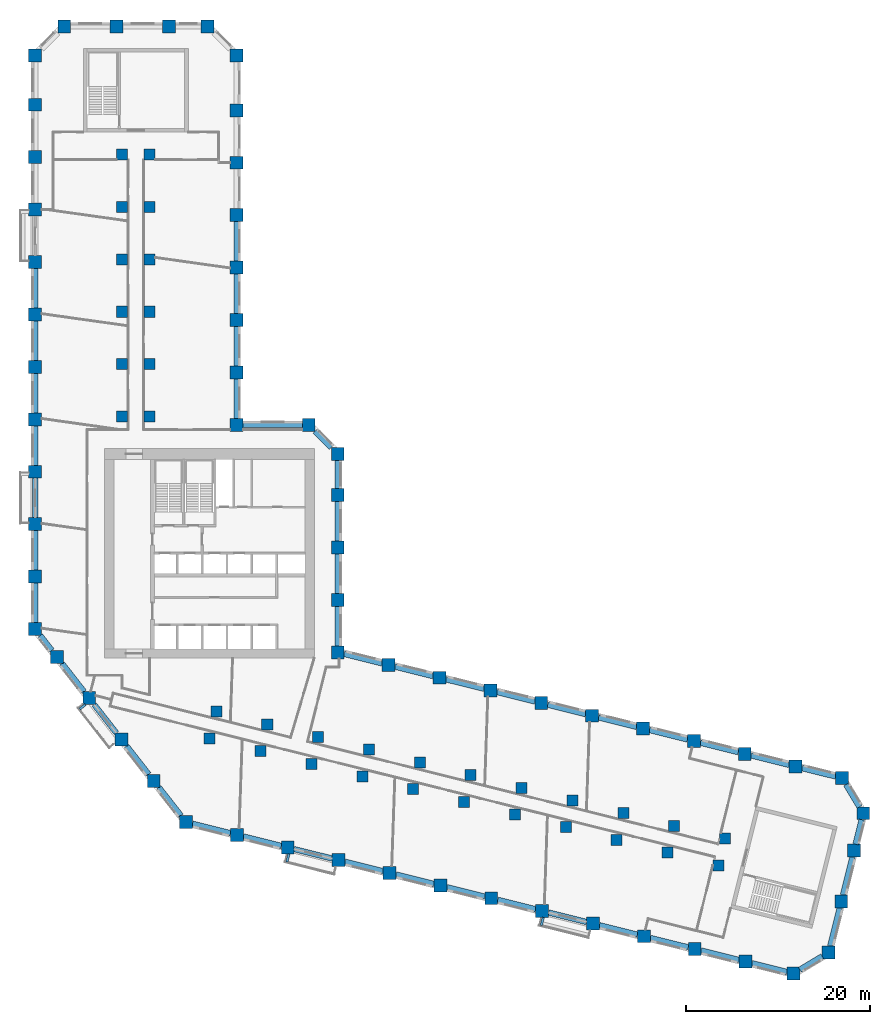
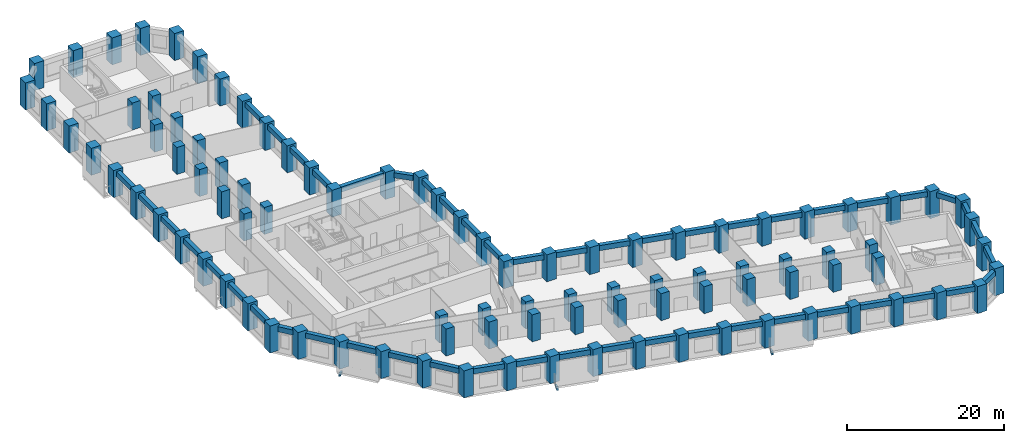
# One storey, part 1 of 11: 95 columns, 52 beams.
"""IFC4 building model written with IfcOpenShell, lengths in metres."""

from ifc_helpers import new_model, si_unit, direction, frame, origin, origin_2d, place, context, subcontext, project, spatial, rectangle, extrude, material, material_profile, profile_set, type_object, element, save


model = new_model("IFC4")

# Units and contexts
model_context = context("Model", 3, precision=1e-05, world=origin(), true_north=direction((0.0, 1.0)))
body_context = subcontext(model_context, "Body", "Model", "MODEL_VIEW")
ifc_project = project(units=[si_unit("LENGTHUNIT", "METRE"), si_unit("AREAUNIT", "SQUARE_METRE"), si_unit("VOLUMEUNIT", "CUBIC_METRE"), si_unit("PLANEANGLEUNIT", "RADIAN"), si_unit("MASSUNIT", "GRAM", prefix="KILO")], contexts=[model_context])

# Site, building, storey
site_placement = place(None, origin())
site = spatial("IfcSite", under=ifc_project, at=site_placement, CompositionType="ELEMENT")
building_placement = place(site_placement, origin())
building = spatial("IfcBuilding", under=site, at=building_placement, Name="Meshkara Civic Tower", CompositionType="ELEMENT")
storey_placement = place(building_placement, frame((0.0, 0.0, 79.199951171875)))
storey = spatial("IfcBuildingStorey", under=building, at=storey_placement, Name="L17", CompositionType="ELEMENT", Elevation=79.199951171875)

# Columns
ifc_material_1 = material(Name="Concrete C80", Category="concrete")
ifc_material_profile_1 = material_profile(ifc_material_1, rectangle(XDim=1.199951171875, YDim=1.199951171875, at=origin_2d()))
ifc_profile_set_1 = profile_set([ifc_material_profile_1], Name="Concrete C80")
column_type_1 = type_object("IfcColumnType", Name="Interior column RC 1200x1200 C80", PredefinedType="COLUMN", material=ifc_profile_set_1)
for number, where, z_axis, x_axis, name in (
    (1, (9.89990234375, 40.35009765625, 0.0), (0.0, 0.0, 1.0), (1.0, 0.0, 0.0), "Column SA1-04 L17"),
    (2, (9.89990234375, 46.050048828125, 0.0), (0.0, 0.0, 1.0), (1.0, 0.0, 0.0), "Column SA1-05 L17"),
    (3, (9.89990234375, 51.75, 0.0), (0.0, 0.0, 1.0), (1.0, 0.0, 0.0), "Column SA1-06 L17"),
    (4, (9.89990234375, 57.449951171875, 0.0), (0.0, 0.0, 1.0), (1.0, 0.0, 0.0), "Column SA1-07 L17"),
    (5, (9.89990234375, 63.14990234375, 0.0), (0.0, 0.0, 1.0), (1.0, 0.0, 0.0), "Column SA1-08 L17"),
    (6, (9.89990234375, 68.85009765625, 0.0), (0.0, 0.0, 1.0), (1.0, 0.0, 0.0), "Column SA1-09 L17"),
    (7, (12.89990234375, 40.35009765625, 0.0), (0.0, 0.0, 1.0), (1.0, 0.0, 0.0), "Column SA2-04 L17"),
    (8, (12.89990234375, 46.050048828125, 0.0), (0.0, 0.0, 1.0), (1.0, 0.0, 0.0), "Column SA2-05 L17"),
    (9, (12.89990234375, 51.75, 0.0), (0.0, 0.0, 1.0), (1.0, 0.0, 0.0), "Column SA2-06 L17"),
    (10, (12.89990234375, 57.449951171875, 0.0), (0.0, 0.0, 1.0), (1.0, 0.0, 0.0), "Column SA2-07 L17"),
    (11, (12.89990234375, 63.14990234375, 0.0), (0.0, 0.0, 1.0), (1.0, 0.0, 0.0), "Column SA2-08 L17"),
    (12, (12.89990234375, 68.85009765625, 0.0), (0.0, 0.0, 1.0), (1.0, 0.0, 0.0), "Column SA2-09 L17"),
    (13, (19.424072265625, 5.360107421875, 0.0), (0.0, 0.0, 1.0), (1.0, 0.0, 0.0), "Column SB1-00 L17"),
    (14, (24.9541015625, 3.98095703125, 0.0), (0.0, 0.0, 1.0), (1.0, 0.0, 0.0), "Column SB1-01 L17"),
    (15, (30.485107421875, 2.60205078125, 0.0), (0.0, 0.0, 1.0), (1.0, 0.0, 0.0), "Column SB1-02 L17"),
    (16, (36.01611328125, 1.222900390625, 0.0), (0.0, 0.0, 1.0), (1.0, 0.0, 0.0), "Column SB1-03 L17"),
    (17, (41.5458984375, -0.156005859375, 0.0), (0.0, 0.0, 1.0), (1.0, 0.0, 0.0), "Column SB1-04 L17"),
    (18, (47.076904296875, -1.534912109375, 0.0), (0.0, 0.0, 1.0), (1.0, 0.0, 0.0), "Column SB1-05 L17"),
    (19, (52.60791015625, -2.9140625, 0.0), (0.0, 0.0, 1.0), (1.0, 0.0, 0.0), "Column SB1-06 L17"),
    (20, (58.138916015625, -4.2919921875, 0.0), (0.0, 0.0, 1.0), (1.0, 0.0, 0.0), "Column SB1-07 L17"),
    (21, (63.6689453125, -5.6708984375, 0.0), (0.0, 0.0, 1.0), (1.0, 0.0, 0.0), "Column SB1-08 L17"),
    (22, (69.199951171875, -7.050048828125, 0.0), (0.0, 0.0, 1.0), (1.0, 0.0, 0.0), "Column SB1-09 L17"),
    (23, (74.73095703125, -8.428955078125, 0.0), (0.0, 0.0, 1.0), (1.0, 0.0, 0.0), "Column SB1-10 L17"),
    (24, (20.14892578125, 8.27099609375, 0.0), (0.0, 0.0, 1.0), (1.0, 0.0, 0.0), "Column SB2-00 L17"),
    (25, (25.679931640625, 6.89208984375, 0.0), (0.0, 0.0, 1.0), (1.0, 0.0, 0.0), "Column SB2-01 L17"),
    (26, (31.2109375, 5.512939453125, 0.0), (0.0, 0.0, 1.0), (1.0, 0.0, 0.0), "Column SB2-02 L17"),
    (27, (36.741943359375, 4.134033203125, 0.0), (0.0, 0.0, 1.0), (1.0, 0.0, 0.0), "Column SB2-03 L17"),
    (28, (42.27197265625, 2.7548828125, 0.0), (0.0, 0.0, 1.0), (1.0, 0.0, 0.0), "Column SB2-04 L17"),
    (29, (47.802978515625, 1.3759765625, 0.0), (0.0, 0.0, 1.0), (1.0, 0.0, 0.0), "Column SB2-05 L17"),
    (30, (53.333984375, -0.0029296875, 0.0), (0.0, 0.0, 1.0), (1.0, 0.0, 0.0), "Column SB2-06 L17"),
    (31, (58.864013671875, -1.382080078125, 0.0), (0.0, 0.0, 1.0), (1.0, 0.0, 0.0), "Column SB2-07 L17"),
    (32, (64.39501953125, -2.760986328125, 0.0), (0.0, 0.0, 1.0), (1.0, 0.0, 0.0), "Column SB2-08 L17"),
    (33, (69.926025390625, -4.139892578125, 0.0), (0.0, 0.0, 1.0), (1.0, 0.0, 0.0), "Column SB2-09 L17"),
    (34, (75.4560546875, -5.51806640625, 0.0), (0.0, 0.0, 1.0), (1.0, 0.0, 0.0), "Column SB2-10 L17"),
):
    element("IfcColumn", number, at=place(storey_placement, frame(where, z_axis=z_axis, x_axis=x_axis)), inside=storey, type_object=column_type_1, Name=name, PredefinedType="COLUMN", context=body_context, shape_type="SweptSolid", body=[
        extrude(rectangle(XDim=1.199951171875, YDim=1.199951171875, at=origin_2d()), origin(), (0.0, 0.0, 1.0), 4.199951171875),
    ])
ifc_material_2 = material(Name="Concrete C80", Category="concrete")
ifc_material_profile_2 = material_profile(ifc_material_2, rectangle(XDim=1.39990234375, YDim=1.39990234375, at=origin_2d()))
ifc_profile_set_2 = profile_set([ifc_material_profile_2], Name="Concrete C80")
column_type_2 = type_object("IfcColumnType", Name="Perimeter column RC 1400x1400 C80", PredefinedType="COLUMN", material=ifc_profile_set_2)
for number, where, z_axis, x_axis, name in (
    (35, (33.35009765625, 14.718994140625, 0.0), (0.0, 0.0, 1.0), (1.0, 0.0, 0.0), "Column HE00 L17"),
    (36, (33.35009765625, 20.4189453125, 0.0), (0.0, 0.0, 1.0), (1.0, 0.0, 0.0), "Column HE01 L17"),
    (37, (33.35009765625, 26.118896484375, 0.0), (0.0, 0.0, 1.0), (1.0, 0.0, 0.0), "Column HE02 L17"),
    (38, (33.35009765625, 31.819091796875, 0.0), (0.0, 0.0, 1.0), (1.0, 0.0, 0.0), "Column HE03 L17"),
    (39, (33.35009765625, 36.2939453125, 0.0), (0.0, 0.0, 1.0), (1.0, 0.0, 0.0), "Column HEE L17"),
    (40, (30.194091796875, 39.449951171875, 0.0), (0.0, 0.0, 1.0), (1.0, 0.0, 0.0), "Column HCeE L17"),
    (41, (22.35009765625, 39.449951171875, 0.0), (0.0, 0.0, 1.0), (1.0, 0.0, 0.0), "Column HN00 L17"),
    (42, (22.35009765625, 45.14990234375, 0.0), (0.0, 0.0, 1.0), (1.0, 0.0, 0.0), "Column AE01 L17"),
    (43, (22.35009765625, 50.85009765625, 0.0), (0.0, 0.0, 1.0), (1.0, 0.0, 0.0), "Column AE02 L17"),
    (44, (22.35009765625, 56.550048828125, 0.0), (0.0, 0.0, 1.0), (1.0, 0.0, 0.0), "Column AE03 L17"),
    (45, (22.35009765625, 62.25, 0.0), (0.0, 0.0, 1.0), (1.0, 0.0, 0.0), "Column AE04 L17"),
    (46, (22.35009765625, 67.949951171875, 0.0), (0.0, 0.0, 1.0), (1.0, 0.0, 0.0), "Column AE05 L17"),
    (47, (22.35009765625, 73.64990234375, 0.0), (0.0, 0.0, 1.0), (1.0, 0.0, 0.0), "Column AE06 L17"),
    (48, (22.35009765625, 79.614013671875, 0.0), (0.0, 0.0, 1.0), (1.0, 0.0, 0.0), "Column AEE L17"),
    (49, (19.194091796875, 82.77001953125, 0.0), (0.0, 0.0, 1.0), (1.0, 0.0, 0.0), "Column ATiE L17"),
    (50, (3.60595703125, 82.77001953125, 0.0), (0.0, 0.0, 1.0), (1.0, 0.0, 0.0), "Column AT00 L17"),
    (51, (9.305908203125, 82.77001953125, 0.0), (0.0, 0.0, 1.0), (1.0, 0.0, 0.0), "Column AT01 L17"),
    (52, (15.006103515625, 82.77001953125, 0.0), (0.0, 0.0, 1.0), (1.0, 0.0, 0.0), "Column AT02 L17"),
    (53, (0.449951171875, 79.614013671875, 0.0), (0.0, 0.0, 1.0), (1.0, 0.0, 0.0), "Column ATo00 L17"),
    (54, (0.449951171875, 17.2548828125, 0.0), (0.0, 0.0, 1.0), (1.0, 0.0, 0.0), "Column AW00 L17"),
    (55, (0.449951171875, 22.955078125, 0.0), (0.0, 0.0, 1.0), (1.0, 0.0, 0.0), "Column AW01 L17"),
    (56, (0.449951171875, 28.655029296875, 0.0), (0.0, 0.0, 1.0), (1.0, 0.0, 0.0), "Column AW02 L17"),
    (57, (0.449951171875, 34.35498046875, 0.0), (0.0, 0.0, 1.0), (1.0, 0.0, 0.0), "Column AW03 L17"),
    (58, (0.449951171875, 40.054931640625, 0.0), (0.0, 0.0, 1.0), (1.0, 0.0, 0.0), "Column AW04 L17"),
    (59, (0.449951171875, 45.7548828125, 0.0), (0.0, 0.0, 1.0), (1.0, 0.0, 0.0), "Column AW05 L17"),
    (60, (0.449951171875, 51.455078125, 0.0), (0.0, 0.0, 1.0), (1.0, 0.0, 0.0), "Column AW06 L17"),
    (61, (0.449951171875, 57.155029296875, 0.0), (0.0, 0.0, 1.0), (1.0, 0.0, 0.0), "Column AW07 L17"),
    (62, (0.449951171875, 62.85498046875, 0.0), (0.0, 0.0, 1.0), (1.0, 0.0, 0.0), "Column AW08 L17"),
    (63, (0.449951171875, 68.554931640625, 0.0), (0.0, 0.0, 1.0), (1.0, 0.0, 0.0), "Column AW09 L17"),
    (64, (0.449951171875, 74.2548828125, 0.0), (0.0, 0.0, 1.0), (1.0, 0.0, 0.0), "Column AW10 L17"),
    (65, (16.85107421875, -3.738037109375, 0.0), (0.0, 0.0, 1.0), (1.0, 0.0, 0.0), "Column BOW00 L17"),
    (66, (13.342041015625, 0.75390625, 0.0), (0.0, 0.0, 1.0), (1.0, 0.0, 0.0), "Column BOW01 L17"),
    (67, (9.8330078125, 5.2451171875, 0.0), (0.0, 0.0, 1.0), (1.0, 0.0, 0.0), "Column BOW02 L17"),
    (68, (6.322998046875, 9.737060546875, 0.0), (0.0, 0.0, 1.0), (1.0, 0.0, 0.0), "Column BOW03 L17"),
    (69, (2.81396484375, 14.22900390625, 0.0), (0.0, 0.0, 1.0), (1.0, 0.0, 0.0), "Column BOW04 L17"),
    (70, (22.382080078125, -5.116943359375, 0.0), (0.0, 0.0, 1.0), (1.0, 0.0, 0.0), "Column BS01 L17"),
    (71, (27.912109375, -6.49609375, 0.0), (0.0, 0.0, 1.0), (1.0, 0.0, 0.0), "Column BS02 L17"),
    (72, (33.443115234375, -7.875, 0.0), (0.0, 0.0, 1.0), (1.0, 0.0, 0.0), "Column BS03 L17"),
    (73, (38.97412109375, -9.25390625, 0.0), (0.0, 0.0, 1.0), (1.0, 0.0, 0.0), "Column BS04 L17"),
    (74, (44.5048828125, -10.632080078125, 0.0), (0.0, 0.0, 1.0), (1.0, 0.0, 0.0), "Column BS05 L17"),
    (75, (50.034912109375, -12.010986328125, 0.0), (0.0, 0.0, 1.0), (1.0, 0.0, 0.0), "Column BS06 L17"),
    (76, (55.56591796875, -13.389892578125, 0.0), (0.0, 0.0, 1.0), (1.0, 0.0, 0.0), "Column BS07 L17"),
    (77, (61.096923828125, -14.76904296875, 0.0), (0.0, 0.0, 1.0), (1.0, 0.0, 0.0), "Column BS08 L17"),
    (78, (66.626953125, -16.14794921875, 0.0), (0.0, 0.0, 1.0), (1.0, 0.0, 0.0), "Column BS09 L17"),
    (79, (72.157958984375, -17.527099609375, 0.0), (0.0, 0.0, 1.0), (1.0, 0.0, 0.0), "Column BS10 L17"),
    (80, (77.68896484375, -18.906005859375, 0.0), (0.0, 0.0, 1.0), (1.0, 0.0, 0.0), "Column BS11 L17"),
    (81, (82.887939453125, -20.201904296875, 0.0), (0.0, 0.0, 1.0), (1.0, 0.0, 0.0), "Column BSE L17"),
    (82, (86.714111328125, -17.903076171875, 0.0), (0.0, 0.0, 1.0), (1.0, 0.0, 0.0), "Column BToE L17"),
    (83, (88.093017578125, -12.3720703125, 0.0), (0.0, 0.0, 1.0), (1.0, 0.0, 0.0), "Column BT01 L17"),
    (84, (89.471923828125, -6.842041015625, 0.0), (0.0, 0.0, 1.0), (1.0, 0.0, 0.0), "Column BT02 L17"),
    (85, (90.485107421875, -2.779052734375, 0.0), (0.0, 0.0, 1.0), (1.0, 0.0, 0.0), "Column BTE L17"),
    (86, (88.18603515625, 1.0458984375, 0.0), (0.0, 0.0, 1.0), (1.0, 0.0, 0.0), "Column BTi00 L17"),
    (87, (38.881103515625, 13.340087890625, 0.0), (0.0, 0.0, 1.0), (1.0, 0.0, 0.0), "Column BN01 L17"),
    (88, (44.410888671875, 11.9609375, 0.0), (0.0, 0.0, 1.0), (1.0, 0.0, 0.0), "Column BN02 L17"),
    (89, (49.94189453125, 10.58203125, 0.0), (0.0, 0.0, 1.0), (1.0, 0.0, 0.0), "Column BN03 L17"),
    (90, (55.472900390625, 9.202880859375, 0.0), (0.0, 0.0, 1.0), (1.0, 0.0, 0.0), "Column BN04 L17"),
    (91, (61.0029296875, 7.823974609375, 0.0), (0.0, 0.0, 1.0), (1.0, 0.0, 0.0), "Column BN05 L17"),
    (92, (66.533935546875, 6.445068359375, 0.0), (0.0, 0.0, 1.0), (1.0, 0.0, 0.0), "Column BN06 L17"),
    (93, (72.06494140625, 5.06591796875, 0.0), (0.0, 0.0, 1.0), (1.0, 0.0, 0.0), "Column BN07 L17"),
    (94, (77.594970703125, 3.68701171875, 0.0), (0.0, 0.0, 1.0), (1.0, 0.0, 0.0), "Column BN08 L17"),
    (95, (83.1259765625, 2.30810546875, 0.0), (0.0, 0.0, 1.0), (1.0, 0.0, 0.0), "Column BN09 L17"),
):
    element("IfcColumn", number, at=place(storey_placement, frame(where, z_axis=z_axis, x_axis=x_axis)), inside=storey, type_object=column_type_2, Name=name, PredefinedType="COLUMN", context=body_context, shape_type="SweptSolid", body=[
        extrude(rectangle(XDim=1.39990234375, YDim=1.39990234375, at=origin_2d()), origin(), (0.0, 0.0, 1.0), 4.199951171875),
    ])

# Beams
ifc_material_3 = material(Name="Concrete C50", Category="concrete")
ifc_material_profile_3 = material_profile(ifc_material_3, rectangle(XDim=0.25, YDim=0.39990234375, at=origin_2d()))
ifc_profile_set_3 = profile_set([ifc_material_profile_3], Name="Concrete C50")
beam_type_1 = type_object("IfcBeamType", Name="Balcony bracket beam RC 250x400 C50", PredefinedType="BEAM", material=ifc_profile_set_3)
beam_1_placement = place(storey_placement, frame((5.91796875, 9.0400390625, -0.5), z_axis=(-0.787987386411, -0.615691382803, 0.0), x_axis=(0.615691382803, -0.787987386411, 0.0)))
element("IfcBeam", 96, at=beam_1_placement, inside=storey, type_object=beam_type_1, Name="Balcony bracket beam", PredefinedType="BEAM", context=body_context, shape_type="SweptSolid", body=[
    extrude(rectangle(XDim=0.25, YDim=0.39990234375, at=origin_2d()), origin(), (0.0, 0.0, 1.0), 0.800537109375),
])
beam_2_placement = place(storey_placement, frame((28.048095703125, -7.19091796875, -0.5), z_axis=(-0.242472373608, -0.970158310812, 0.0), x_axis=(0.970158310812, -0.242472373608, 0.0)))
element("IfcBeam", 97, at=beam_2_placement, inside=storey, type_object=beam_type_1, Name="Balcony bracket beam", PredefinedType="BEAM", context=body_context, shape_type="SweptSolid", body=[
    extrude(rectangle(XDim=0.25, YDim=0.39990234375, at=origin_2d()), origin(), (0.0, 0.0, 1.0), 0.908203125),
])
beam_3_placement = place(storey_placement, frame((55.701904296875, -14.0849609375, -0.5), z_axis=(-0.241966881417, -0.970284508944, 0.0), x_axis=(0.970284508944, -0.241966881417, 0.0)))
element("IfcBeam", 98, at=beam_3_placement, inside=storey, type_object=beam_type_1, Name="Balcony bracket beam", PredefinedType="BEAM", context=body_context, shape_type="SweptSolid", body=[
    extrude(rectangle(XDim=0.25, YDim=0.39990234375, at=origin_2d()), origin(), (0.0, 0.0, 1.0), 0.9091796875),
])
ifc_material_4 = material(Name="Concrete C70", Category="concrete")
ifc_material_profile_4 = material_profile(ifc_material_4, rectangle(XDim=0.60009765625, YDim=0.800048828125, at=origin_2d()))
ifc_profile_set_4 = profile_set([ifc_material_profile_4], Name="Concrete C70")
beam_type_2 = type_object("IfcBeamType", Name="Spandrel beam RC 600x800 C70", PredefinedType="BEAM", material=ifc_profile_set_4)
beam_4_placement = place(storey_placement, frame((82.430908203125, 2.481201171875, 3.5), z_axis=(-0.97029374225, 0.241929852955, 0.0), x_axis=(-0.241929852955, -0.97029374225, 0.0)))
element("IfcBeam", 99, at=beam_4_placement, inside=storey, type_object=beam_type_2, Name="Spandrel beam BN08-BN09", PredefinedType="BEAM", context=body_context, shape_type="SweptSolid", body=[
    extrude(rectangle(XDim=0.60009765625, YDim=0.800048828125, at=origin_2d()), origin(), (0.0, 0.0, 1.0), 4.267578125),
])
beam_5_placement = place(storey_placement, frame((76.89990234375, 3.8603515625, 3.5), z_axis=(-0.970293777887, 0.241929710026, 0.0), x_axis=(-0.241929710026, -0.970293777887, 0.0)))
element("IfcBeam", 100, at=beam_5_placement, inside=storey, type_object=beam_type_2, Name="Spandrel beam BN07-BN08", PredefinedType="BEAM", context=body_context, shape_type="SweptSolid", body=[
    extrude(rectangle(XDim=0.60009765625, YDim=0.800048828125, at=origin_2d()), origin(), (0.0, 0.0, 1.0), 4.2666015625),
])
for number, where, z_axis, x_axis, name in (
    (101, (71.369873046875, 5.2392578125, 3.5), (-0.97029374225, 0.241929852955, 0.0), (-0.241929852955, -0.97029374225, 0.0), "Spandrel beam BN06-BN07"),
    (102, (65.8388671875, 6.618408203125, 3.5), (-0.970307169965, 0.241875992843, 0.0), (-0.241875992843, -0.970307169965, 0.0), "Spandrel beam BN05-BN06"),
):
    element("IfcBeam", number, at=place(storey_placement, frame(where, z_axis=z_axis, x_axis=x_axis)), inside=storey, type_object=beam_type_2, Name=name, PredefinedType="BEAM", context=body_context, shape_type="SweptSolid", body=[
        extrude(rectangle(XDim=0.60009765625, YDim=0.800048828125, at=origin_2d()), origin(), (0.0, 0.0, 1.0), 4.267578125),
    ])
beam_6_placement = place(storey_placement, frame((60.307861328125, 7.997314453125, 3.5), z_axis=(-0.970276993533, 0.241997016139, 0.0), x_axis=(-0.241997016139, -0.970276993533, 0.0)))
element("IfcBeam", 103, at=beam_6_placement, inside=storey, type_object=beam_type_2, Name="Spandrel beam BN04-BN05", PredefinedType="BEAM", context=body_context, shape_type="SweptSolid", body=[
    extrude(rectangle(XDim=0.60009765625, YDim=0.800048828125, at=origin_2d()), origin(), (0.0, 0.0, 1.0), 4.266357421875),
])
for number, where, z_axis, x_axis, name in (
    (104, (54.77783203125, 9.376220703125, 3.5), (-0.970290393622, 0.241943282702, 0.0), (-0.241943282702, -0.970290393622, 0.0), "Spandrel beam BN03-BN04"),
    (105, (49.246826171875, 10.75537109375, 3.5), (-0.970303822782, 0.241889419972, 0.0), (-0.241889419972, -0.970303822782, 0.0), "Spandrel beam BN02-BN03"),
):
    element("IfcBeam", number, at=place(storey_placement, frame(where, z_axis=z_axis, x_axis=x_axis)), inside=storey, type_object=beam_type_2, Name=name, PredefinedType="BEAM", context=body_context, shape_type="SweptSolid", body=[
        extrude(rectangle(XDim=0.60009765625, YDim=0.800048828125, at=origin_2d()), origin(), (0.0, 0.0, 1.0), 4.267333984375),
    ])
beam_7_placement = place(storey_placement, frame((43.7158203125, 12.13427734375, 3.5), z_axis=(-0.970276993533, 0.241997016139, 0.0), x_axis=(-0.241997016139, -0.970276993533, 0.0)))
element("IfcBeam", 106, at=beam_7_placement, inside=storey, type_object=beam_type_2, Name="Spandrel beam BN01-BN02", PredefinedType="BEAM", context=body_context, shape_type="SweptSolid", body=[
    extrude(rectangle(XDim=0.60009765625, YDim=0.800048828125, at=origin_2d()), origin(), (0.0, 0.0, 1.0), 4.266357421875),
])
beam_8_placement = place(storey_placement, frame((38.185791015625, 13.51318359375, 3.5), z_axis=(-0.970290393622, 0.241943282702, 0.0), x_axis=(-0.241943282702, -0.970290393622, 0.0)))
element("IfcBeam", 107, at=beam_8_placement, inside=storey, type_object=beam_type_2, Name="Spandrel beam BN01-HE00", PredefinedType="BEAM", context=body_context, shape_type="SweptSolid", body=[
    extrude(rectangle(XDim=0.60009765625, YDim=0.800048828125, at=origin_2d()), origin(), (0.0, 0.0, 1.0), 4.267333984375),
])
for number, where, z_axis, x_axis, name in (
    (108, (33.35009765625, 15.4140625, 3.5), (0.0, 1.0, 0.0), (-1.0, 0.0, 0.0), "Spandrel beam HE00-HE01"),
    (109, (33.35009765625, 21.114013671875, 3.5), (0.0, 1.0, 0.0), (-1.0, 0.0, 0.0), "Spandrel beam HE01-HE02"),
    (110, (33.35009765625, 26.81396484375, 3.5), (0.0, 1.0, 0.0), (-1.0, 0.0, 0.0), "Spandrel beam HE02-HE03"),
):
    element("IfcBeam", number, at=place(storey_placement, frame(where, z_axis=z_axis, x_axis=x_axis)), inside=storey, type_object=beam_type_2, Name=name, PredefinedType="BEAM", context=body_context, shape_type="SweptSolid", body=[
        extrude(rectangle(XDim=0.60009765625, YDim=0.800048828125, at=origin_2d()), origin(), (0.0, 0.0, 1.0), 4.31005859375),
    ])
beam_9_placement = place(storey_placement, frame((33.35009765625, 32.513916015625, 3.5), z_axis=(0.0, 1.0, 0.0), x_axis=(-1.0, 0.0, 0.0)))
element("IfcBeam", 111, at=beam_9_placement, inside=storey, type_object=beam_type_2, Name="Spandrel beam HE03-HEE", PredefinedType="BEAM", context=body_context, shape_type="SweptSolid", body=[
    extrude(rectangle(XDim=0.60009765625, YDim=0.800048828125, at=origin_2d()), origin(), (0.0, 0.0, 1.0), 3.085205078125),
])
beam_10_placement = place(storey_placement, frame((32.653564453125, 36.990478515625, 3.5), z_axis=(-0.707155737934, 0.70705782105, 0.0), x_axis=(-0.70705782105, -0.707155737934, 0.0)))
element("IfcBeam", 112, at=beam_10_placement, inside=storey, type_object=beam_type_2, Name="Spandrel beam HCeE-HEE", PredefinedType="BEAM", context=body_context, shape_type="SweptSolid", body=[
    extrude(rectangle(XDim=0.60009765625, YDim=0.800048828125, at=origin_2d()), origin(), (0.0, 0.0, 1.0), 2.493408203125),
])
beam_11_placement = place(storey_placement, frame((29.4990234375, 39.449951171875, 3.5), z_axis=(-1.0, 0.0, 0.0), x_axis=(0.0, -1.0, 0.0)))
element("IfcBeam", 113, at=beam_11_placement, inside=storey, type_object=beam_type_2, Name="Spandrel beam HCeE-HN00", PredefinedType="BEAM", context=body_context, shape_type="SweptSolid", body=[
    extrude(rectangle(XDim=0.60009765625, YDim=0.800048828125, at=origin_2d()), origin(), (0.0, 0.0, 1.0), 6.4541015625),
])
for number, where, z_axis, x_axis, name in (
    (114, (22.35009765625, 40.14501953125, 3.5), (0.0, 1.0, 0.0), (-1.0, 0.0, 0.0), "Spandrel beam AE01-HN00"),
    (115, (22.35009765625, 45.844970703125, 3.5), (0.0, 1.0, 0.0), (-1.0, 0.0, 0.0), "Spandrel beam AE01-AE02"),
    (116, (22.35009765625, 51.544921875, 3.5), (0.0, 1.0, 0.0), (-1.0, 0.0, 0.0), "Spandrel beam AE02-AE03"),
):
    element("IfcBeam", number, at=place(storey_placement, frame(where, z_axis=z_axis, x_axis=x_axis)), inside=storey, type_object=beam_type_2, Name=name, PredefinedType="BEAM", context=body_context, shape_type="SweptSolid", body=[
        extrude(rectangle(XDim=0.60009765625, YDim=0.800048828125, at=origin_2d()), origin(), (0.0, 0.0, 1.0), 4.31005859375),
    ])
beam_12_placement = place(storey_placement, frame((22.35009765625, 57.2451171875, 3.5), z_axis=(0.0, 1.0, 0.0), x_axis=(-1.0, 0.0, 0.0)))
element("IfcBeam", 117, at=beam_12_placement, inside=storey, type_object=beam_type_2, Name="Spandrel beam AE03-AE04", PredefinedType="BEAM", context=body_context, shape_type="SweptSolid", body=[
    extrude(rectangle(XDim=0.60009765625, YDim=0.800048828125, at=origin_2d()), origin(), (0.0, 0.0, 1.0), 4.309814453125),
])
for number, where, z_axis, x_axis, name in (
    (118, (0.449951171875, 56.4599609375, 3.5), (0.0, -1.0, 0.0), (1.0, 0.0, 0.0), "Spandrel beam AW06-AW07"),
    (119, (0.449951171875, 50.760009765625, 3.5), (0.0, -1.0, 0.0), (1.0, 0.0, 0.0), "Spandrel beam AW05-AW06"),
    (120, (0.449951171875, 45.06005859375, 3.5), (0.0, -1.0, 0.0), (1.0, 0.0, 0.0), "Spandrel beam AW04-AW05"),
    (121, (0.449951171875, 39.360107421875, 3.5), (0.0, -1.0, 0.0), (1.0, 0.0, 0.0), "Spandrel beam AW03-AW04"),
):
    element("IfcBeam", number, at=place(storey_placement, frame(where, z_axis=z_axis, x_axis=x_axis)), inside=storey, type_object=beam_type_2, Name=name, PredefinedType="BEAM", context=body_context, shape_type="SweptSolid", body=[
        extrude(rectangle(XDim=0.60009765625, YDim=0.800048828125, at=origin_2d()), origin(), (0.0, 0.0, 1.0), 4.31005859375),
    ])
beam_13_placement = place(storey_placement, frame((0.449951171875, 33.659912109375, 3.5), z_axis=(0.0, -1.0, 0.0), x_axis=(1.0, 0.0, 0.0)))
element("IfcBeam", 122, at=beam_13_placement, inside=storey, type_object=beam_type_2, Name="Spandrel beam AW02-AW03", PredefinedType="BEAM", context=body_context, shape_type="SweptSolid", body=[
    extrude(rectangle(XDim=0.60009765625, YDim=0.800048828125, at=origin_2d()), origin(), (0.0, 0.0, 1.0), 4.309814453125),
])
for number, where, z_axis, x_axis, name in (
    (123, (0.449951171875, 27.9599609375, 3.5), (0.0, -1.0, 0.0), (1.0, 0.0, 0.0), "Spandrel beam AW01-AW02"),
    (124, (0.449951171875, 22.260009765625, 3.5), (0.0, -1.0, 0.0), (1.0, 0.0, 0.0), "Spandrel beam AW00-AW01"),
):
    element("IfcBeam", number, at=place(storey_placement, frame(where, z_axis=z_axis, x_axis=x_axis)), inside=storey, type_object=beam_type_2, Name=name, PredefinedType="BEAM", context=body_context, shape_type="SweptSolid", body=[
        extrude(rectangle(XDim=0.60009765625, YDim=0.800048828125, at=origin_2d()), origin(), (0.0, 0.0, 1.0), 4.31005859375),
    ])
beam_14_placement = place(storey_placement, frame((0.993896484375, 16.558837890625, 3.5), z_axis=(0.615634901283, -0.788031514803, 0.0), x_axis=(0.788031514803, 0.615634901283, 0.0)))
element("IfcBeam", 125, at=beam_14_placement, inside=storey, type_object=beam_type_2, Name="Spandrel beam AW00-BOW04", PredefinedType="BEAM", context=body_context, shape_type="SweptSolid", body=[
    extrude(rectangle(XDim=0.60009765625, YDim=0.800048828125, at=origin_2d()), origin(), (0.0, 0.0, 1.0), 2.0732421875),
])
beam_15_placement = place(storey_placement, frame((3.357666015625, 13.532958984375, 3.5), z_axis=(0.615623566685, -0.788040369614, 0.0), x_axis=(0.788040369614, 0.615623566685, 0.0)))
element("IfcBeam", 126, at=beam_15_placement, inside=storey, type_object=beam_type_2, Name="Spandrel beam BOW03-BOW04", PredefinedType="BEAM", context=body_context, shape_type="SweptSolid", body=[
    extrude(rectangle(XDim=0.60009765625, YDim=0.800048828125, at=origin_2d()), origin(), (0.0, 0.0, 1.0), 3.93359375),
])
beam_16_placement = place(storey_placement, frame((6.866943359375, 9.041015625, 3.5), z_axis=(0.61570064363, -0.787980150406, 0.0), x_axis=(0.787980150406, 0.61570064363, 0.0)))
element("IfcBeam", 127, at=beam_16_placement, inside=storey, type_object=beam_type_2, Name="Spandrel beam BOW02-BOW03", PredefinedType="BEAM", context=body_context, shape_type="SweptSolid", body=[
    extrude(rectangle(XDim=0.60009765625, YDim=0.800048828125, at=origin_2d()), origin(), (0.0, 0.0, 1.0), 3.933837890625),
])
beam_17_placement = place(storey_placement, frame((10.376953125, 4.548828125, 3.5), z_axis=(0.615697051917, -0.787982956834, 0.0), x_axis=(0.787982956834, 0.615697051917, 0.0)))
element("IfcBeam", 128, at=beam_17_placement, inside=storey, type_object=beam_type_2, Name="Spandrel beam BOW01-BOW02", PredefinedType="BEAM", context=body_context, shape_type="SweptSolid", body=[
    extrude(rectangle(XDim=0.60009765625, YDim=0.800048828125, at=origin_2d()), origin(), (0.0, 0.0, 1.0), 3.932373046875),
])
beam_18_placement = place(storey_placement, frame((13.8857421875, 0.057861328125, 3.5), z_axis=(0.615623566685, -0.788040369614, 0.0), x_axis=(0.788040369614, 0.615623566685, 0.0)))
element("IfcBeam", 129, at=beam_18_placement, inside=storey, type_object=beam_type_2, Name="Spandrel beam BOW00-BOW01", PredefinedType="BEAM", context=body_context, shape_type="SweptSolid", body=[
    extrude(rectangle(XDim=0.60009765625, YDim=0.800048828125, at=origin_2d()), origin(), (0.0, 0.0, 1.0), 3.93359375),
])
beam_19_placement = place(storey_placement, frame((17.546142578125, -3.911376953125, 3.5), z_axis=(0.970307169965, -0.241875992843, 0.0), x_axis=(0.241875992843, 0.970307169965, 0.0)))
element("IfcBeam", 130, at=beam_19_placement, inside=storey, type_object=beam_type_2, Name="Spandrel beam BOW00-BS01", PredefinedType="BEAM", context=body_context, shape_type="SweptSolid", body=[
    extrude(rectangle(XDim=0.60009765625, YDim=0.800048828125, at=origin_2d()), origin(), (0.0, 0.0, 1.0), 4.267578125),
])
beam_20_placement = place(storey_placement, frame((23.0771484375, -5.290283203125, 3.5), z_axis=(0.970276993533, -0.241997016139, 0.0), x_axis=(0.241997016139, 0.970276993533, 0.0)))
element("IfcBeam", 131, at=beam_20_placement, inside=storey, type_object=beam_type_2, Name="Spandrel beam BS01-BS02", PredefinedType="BEAM", context=body_context, shape_type="SweptSolid", body=[
    extrude(rectangle(XDim=0.60009765625, YDim=0.800048828125, at=origin_2d()), origin(), (0.0, 0.0, 1.0), 4.266357421875),
])
for number, where, z_axis, x_axis, name in (
    (132, (28.607177734375, -6.669189453125, 3.5), (0.970290393622, -0.241943282702, 0.0), (0.241943282702, 0.970290393622, 0.0), "Spandrel beam BS02-BS03"),
    (133, (34.13818359375, -8.04833984375, 3.5), (0.970290393622, -0.241943282702, 0.0), (0.241943282702, 0.970290393622, 0.0), "Spandrel beam BS03-BS04"),
):
    element("IfcBeam", number, at=place(storey_placement, frame(where, z_axis=z_axis, x_axis=x_axis)), inside=storey, type_object=beam_type_2, Name=name, PredefinedType="BEAM", context=body_context, shape_type="SweptSolid", body=[
        extrude(rectangle(XDim=0.60009765625, YDim=0.800048828125, at=origin_2d()), origin(), (0.0, 0.0, 1.0), 4.267333984375),
    ])
beam_21_placement = place(storey_placement, frame((39.669189453125, -9.42724609375, 3.5), z_axis=(0.97034409455, -0.241727818365, 0.0), x_axis=(0.241727818365, 0.97034409455, 0.0)))
element("IfcBeam", 134, at=beam_21_placement, inside=storey, type_object=beam_type_2, Name="Spandrel beam BS04-BS05", PredefinedType="BEAM", context=body_context, shape_type="SweptSolid", body=[
    extrude(rectangle(XDim=0.60009765625, YDim=0.800048828125, at=origin_2d()), origin(), (0.0, 0.0, 1.0), 4.26708984375),
])
beam_22_placement = place(storey_placement, frame((45.2001953125, -10.805419921875, 3.5), z_axis=(0.970290428474, -0.241943142934, 0.0), x_axis=(0.241943142934, 0.970290428474, 0.0)))
element("IfcBeam", 135, at=beam_22_placement, inside=storey, type_object=beam_type_2, Name="Spandrel beam BS05-BS06", PredefinedType="BEAM", context=body_context, shape_type="SweptSolid", body=[
    extrude(rectangle(XDim=0.60009765625, YDim=0.800048828125, at=origin_2d()), origin(), (0.0, 0.0, 1.0), 4.266357421875),
])
for number, where, z_axis, x_axis, name in (
    (136, (50.72998046875, -12.184326171875, 3.5), (0.97029374225, -0.241929852955, 0.0), (0.241929852955, 0.97029374225, 0.0), "Spandrel beam BS06-BS07"),
    (137, (56.260986328125, -13.563232421875, 3.5), (0.97029374225, -0.241929852955, 0.0), (0.241929852955, 0.97029374225, 0.0), "Spandrel beam BS07-BS08"),
):
    element("IfcBeam", number, at=place(storey_placement, frame(where, z_axis=z_axis, x_axis=x_axis)), inside=storey, type_object=beam_type_2, Name=name, PredefinedType="BEAM", context=body_context, shape_type="SweptSolid", body=[
        extrude(rectangle(XDim=0.60009765625, YDim=0.800048828125, at=origin_2d()), origin(), (0.0, 0.0, 1.0), 4.267578125),
    ])
beam_23_placement = place(storey_placement, frame((61.7919921875, -14.9423828125, 3.5), z_axis=(0.970293777887, -0.241929710026, 0.0), x_axis=(0.241929710026, 0.970293777887, 0.0)))
element("IfcBeam", 138, at=beam_23_placement, inside=storey, type_object=beam_type_2, Name="Spandrel beam BS08-BS09", PredefinedType="BEAM", context=body_context, shape_type="SweptSolid", body=[
    extrude(rectangle(XDim=0.60009765625, YDim=0.800048828125, at=origin_2d()), origin(), (0.0, 0.0, 1.0), 4.2666015625),
])
for number, where, z_axis, x_axis, name in (
    (139, (67.322021484375, -16.3212890625, 3.5), (0.97029374225, -0.241929852955, 0.0), (0.241929852955, 0.97029374225, 0.0), "Spandrel beam BS09-BS10"),
    (140, (72.85302734375, -17.7001953125, 3.5), (0.97029374225, -0.241929852955, 0.0), (0.241929852955, 0.97029374225, 0.0), "Spandrel beam BS10-BS11"),
):
    element("IfcBeam", number, at=place(storey_placement, frame(where, z_axis=z_axis, x_axis=x_axis)), inside=storey, type_object=beam_type_2, Name=name, PredefinedType="BEAM", context=body_context, shape_type="SweptSolid", body=[
        extrude(rectangle(XDim=0.60009765625, YDim=0.800048828125, at=origin_2d()), origin(), (0.0, 0.0, 1.0), 4.267578125),
    ])
beam_24_placement = place(storey_placement, frame((78.384033203125, -19.079345703125, 3.5), z_axis=(0.970306910921, -0.241877032022, 0.0), x_axis=(0.241877032022, 0.970306910921, 0.0)))
element("IfcBeam", 141, at=beam_24_placement, inside=storey, type_object=beam_type_2, Name="Spandrel beam BS11-BSE", PredefinedType="BEAM", context=body_context, shape_type="SweptSolid", body=[
    extrude(rectangle(XDim=0.60009765625, YDim=0.800048828125, at=origin_2d()), origin(), (0.0, 0.0, 1.0), 3.92529296875),
])
beam_25_placement = place(storey_placement, frame((83.583740234375, -19.783935546875, 3.5), z_axis=(0.857159031547, 0.515051836846, 0.0), x_axis=(-0.515051836846, 0.857159031547, 0.0)))
element("IfcBeam", 142, at=beam_25_placement, inside=storey, type_object=beam_type_2, Name="Spandrel beam BSE-BToE", PredefinedType="BEAM", context=body_context, shape_type="SweptSolid", body=[
    extrude(rectangle(XDim=0.60009765625, YDim=0.800048828125, at=origin_2d()), origin(), (0.0, 0.0, 1.0), 2.84033203125),
])
beam_26_placement = place(storey_placement, frame((86.88720703125, -17.2080078125, 3.5), z_axis=(0.241929852955, 0.97029374225, 0.0), x_axis=(-0.97029374225, 0.241929852955, 0.0)))
element("IfcBeam", 143, at=beam_26_placement, inside=storey, type_object=beam_type_2, Name="Spandrel beam BT01-BToE", PredefinedType="BEAM", context=body_context, shape_type="SweptSolid", body=[
    extrude(rectangle(XDim=0.60009765625, YDim=0.800048828125, at=origin_2d()), origin(), (0.0, 0.0, 1.0), 4.267578125),
])
beam_27_placement = place(storey_placement, frame((88.266357421875, -11.677001953125, 3.5), z_axis=(0.241929710026, 0.970293777887, 0.0), x_axis=(-0.970293777887, 0.241929710026, 0.0)))
element("IfcBeam", 144, at=beam_27_placement, inside=storey, type_object=beam_type_2, Name="Spandrel beam BT01-BT02", PredefinedType="BEAM", context=body_context, shape_type="SweptSolid", body=[
    extrude(rectangle(XDim=0.60009765625, YDim=0.800048828125, at=origin_2d()), origin(), (0.0, 0.0, 1.0), 4.2666015625),
])
beam_28_placement = place(storey_placement, frame((89.645263671875, -6.14697265625, 3.5), z_axis=(0.241951685637, 0.9702882983, 0.0), x_axis=(-0.9702882983, 0.241951685637, 0.0)))
element("IfcBeam", 145, at=beam_28_placement, inside=storey, type_object=beam_type_2, Name="Spandrel beam BT02-BTE", PredefinedType="BEAM", context=body_context, shape_type="SweptSolid", body=[
    extrude(rectangle(XDim=0.60009765625, YDim=0.800048828125, at=origin_2d()), origin(), (0.0, 0.0, 1.0), 2.754638671875),
])
beam_29_placement = place(storey_placement, frame((90.06689453125, -2.083251953125, 3.5), z_axis=(-0.515140502895, 0.85710574743, 0.0), x_axis=(-0.85710574743, -0.515140502895, 0.0)))
element("IfcBeam", 146, at=beam_29_placement, inside=storey, type_object=beam_type_2, Name="Spandrel beam BTE-BTi00", PredefinedType="BEAM", context=body_context, shape_type="SweptSolid", body=[
    extrude(rectangle(XDim=0.60009765625, YDim=0.800048828125, at=origin_2d()), origin(), (0.0, 0.0, 1.0), 2.83935546875),
])
beam_30_placement = place(storey_placement, frame((87.490966796875, 1.219482421875, 3.5), z_axis=(-0.97029418893, 0.241928061476, 0.0), x_axis=(-0.241928061476, -0.97029418893, 0.0)))
element("IfcBeam", 147, at=beam_30_placement, inside=storey, type_object=beam_type_2, Name="Spandrel beam BN09-BTi00", PredefinedType="BEAM", context=body_context, shape_type="SweptSolid", body=[
    extrude(rectangle(XDim=0.60009765625, YDim=0.800048828125, at=origin_2d()), origin(), (0.0, 0.0, 1.0), 3.7822265625),
])

save(model, "model.ifc")
